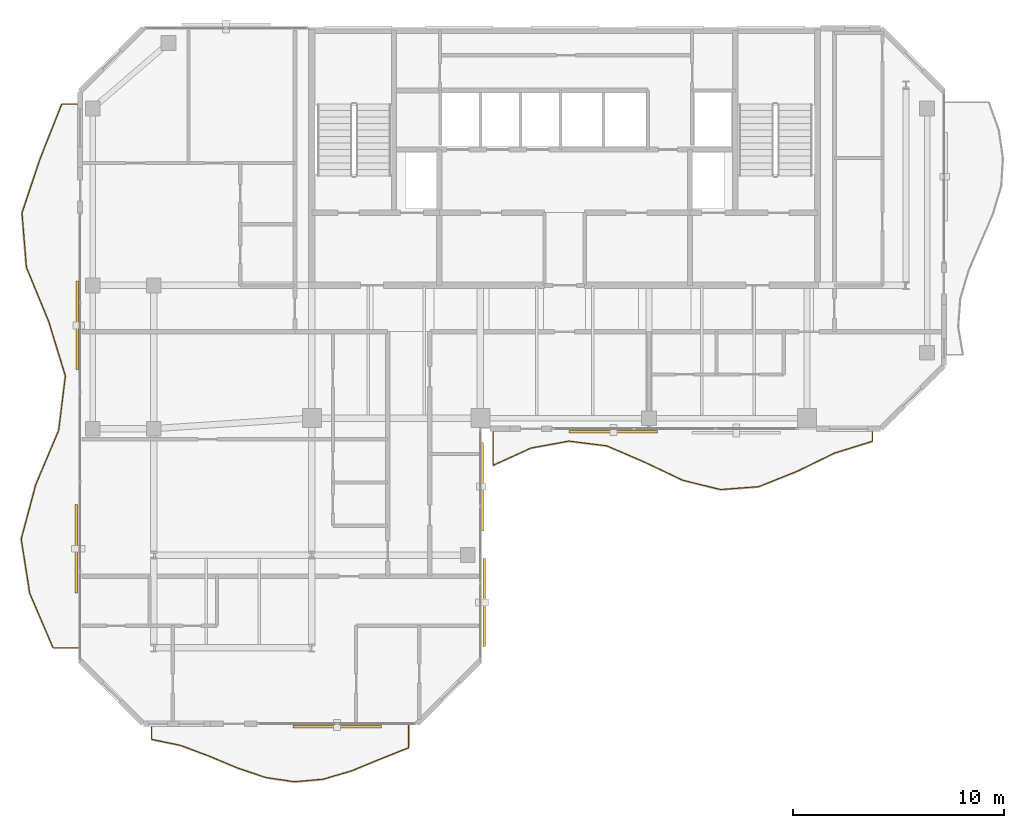
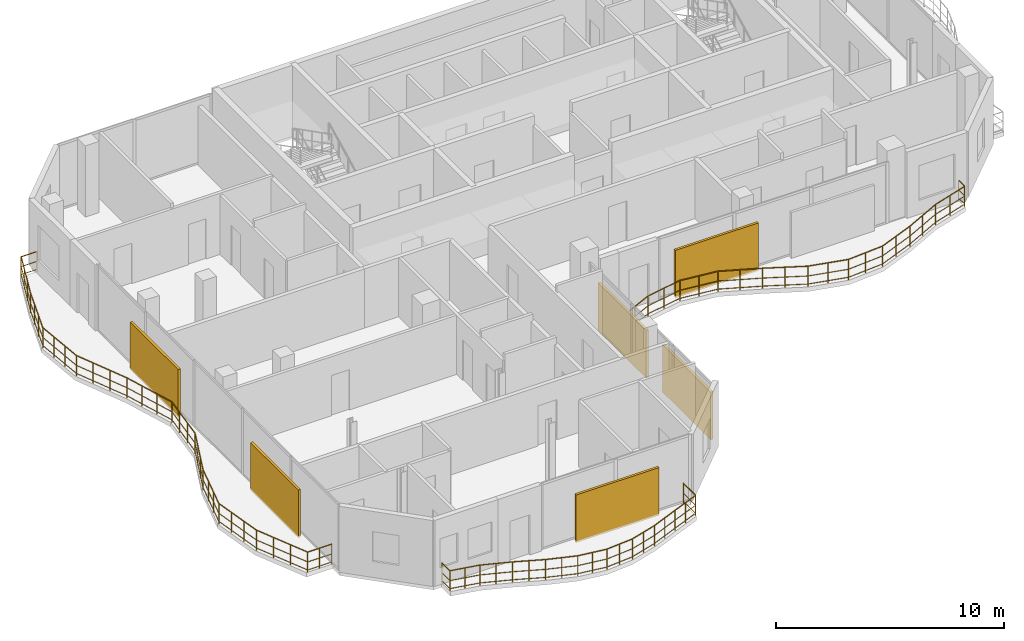
# One storey, part 21 of 22: 6 shading devices, 3 railings.
"""IFC4 building model written with IfcOpenShell, lengths in metres."""

from ifc_helpers import new_model, si_unit, direction, frame, origin, origin_2d, place, context, subcontext, project, spatial, rectangle, circle, extrude, material, type_object, element, save


model = new_model("IFC4")

# Units and contexts
model_context = context("Model", 3, precision=1e-05, world=origin(), true_north=direction((0.0, 1.0)))
body_context = subcontext(model_context, "Body", "Model", "MODEL_VIEW")
ifc_project = project(units=[si_unit("LENGTHUNIT", "METRE"), si_unit("AREAUNIT", "SQUARE_METRE"), si_unit("VOLUMEUNIT", "CUBIC_METRE"), si_unit("PLANEANGLEUNIT", "RADIAN"), si_unit("MASSUNIT", "GRAM", prefix="KILO")], contexts=[model_context])

# Site, building, storey
site_placement = place(None, origin())
site = spatial("IfcSite", under=ifc_project, at=site_placement, CompositionType="ELEMENT")
building_placement = place(site_placement, origin())
building = spatial("IfcBuilding", under=site, at=building_placement, Name="Catumbela Crestline Tower", CompositionType="ELEMENT")
storey_placement = place(building_placement, frame((0.0, 0.0, 256.4)))
storey = spatial("IfcBuildingStorey", under=building, at=storey_placement, Name="L66", CompositionType="ELEMENT", Elevation=256.4)

# Railings
ifc_material_1 = material(Name="Stainless steel EN 1.4401", Category="steel")
railing_type = type_object("IfcRailingType", Name="RB-1100", PredefinedType="BALUSTRADE", material=ifc_material_1)
railing_1_placement = place(storey_placement, frame((24.6, 23.94, 0.0)))
element("IfcRailing", 1, at=railing_1_placement, inside=storey, type_object=railing_type, Name="L66 Private Wave Balcony Balustrade 1", PredefinedType="BALUSTRADE", context=body_context, shape_type="SweptSolid", body=[
    extrude(circle(Radius=0.024, at=origin_2d()), frame((0.0, 0.0, 1.076), z_axis=(0.0, -1.0, 0.0), x_axis=(1.0, 0.0, 0.0)), (0.0, 0.0, 1.0), 1.68),
    extrude(circle(Radius=0.0156, at=origin_2d()), frame((0.0, 0.0, 0.55), z_axis=(0.0, -1.0, 0.0), x_axis=(1.0, 0.0, 0.0)), (0.0, 0.0, 1.0), 1.68),
    extrude(circle(Radius=0.0156, at=origin_2d()), frame((0.0, 0.0, 0.12), z_axis=(0.0, -1.0, 0.0), x_axis=(1.0, 0.0, 0.0)), (0.0, 0.0, 1.0), 1.68),
    extrude(circle(Radius=0.024, at=origin_2d()), frame((0.0, -1.68, 1.076), z_axis=(0.909733657009, 0.415192332907, 0.0), x_axis=(-0.415192332907, 0.909733657009, 0.0)), (0.0, 0.0, 1.0), 1.9786),
    extrude(circle(Radius=0.0156, at=origin_2d()), frame((0.0, -1.68, 0.55), z_axis=(0.909733657009, 0.415192332907, 0.0), x_axis=(-0.415192332907, 0.909733657009, 0.0)), (0.0, 0.0, 1.0), 1.9786),
    extrude(circle(Radius=0.0156, at=origin_2d()), frame((0.0, -1.68, 0.12), z_axis=(0.909733657009, 0.415192332907, 0.0), x_axis=(-0.415192332907, 0.909733657009, 0.0)), (0.0, 0.0, 1.0), 1.9786),
    extrude(circle(Radius=0.024, at=origin_2d()), frame((1.8, -0.8585, 1.076), z_axis=(0.983751645667, 0.179534675334, 0.0), x_axis=(-0.179534675334, 0.983751645667, 0.0)), (0.0, 0.0, 1.0), 1.8297),
    extrude(circle(Radius=0.0156, at=origin_2d()), frame((1.8, -0.8585, 0.55), z_axis=(0.983751645667, 0.179534675334, 0.0), x_axis=(-0.179534675334, 0.983751645667, 0.0)), (0.0, 0.0, 1.0), 1.8297),
    extrude(circle(Radius=0.0156, at=origin_2d()), frame((1.8, -0.8585, 0.12), z_axis=(0.983751645667, 0.179534675334, 0.0), x_axis=(-0.179534675334, 0.983751645667, 0.0)), (0.0, 0.0, 1.0), 1.8297),
    extrude(circle(Radius=0.024, at=origin_2d()), frame((3.6, -0.53, 1.076), z_axis=(0.992250714481, -0.124251839469, 0.0), x_axis=(0.124251839469, 0.992250714481, 0.0)), (0.0, 0.0, 1.0), 1.8141),
    extrude(circle(Radius=0.0156, at=origin_2d()), frame((3.6, -0.53, 0.55), z_axis=(0.992250714481, -0.124251839469, 0.0), x_axis=(0.124251839469, 0.992250714481, 0.0)), (0.0, 0.0, 1.0), 1.8141),
    extrude(circle(Radius=0.0156, at=origin_2d()), frame((3.6, -0.53, 0.12), z_axis=(0.992250714481, -0.124251839469, 0.0), x_axis=(0.124251839469, 0.992250714481, 0.0)), (0.0, 0.0, 1.0), 1.8141),
    extrude(circle(Radius=0.024, at=origin_2d()), frame((5.4, -0.7554, 1.076), z_axis=(0.91863214227, -0.395113891414, 0.0), x_axis=(0.395113891414, 0.91863214227, 0.0)), (0.0, 0.0, 1.0), 1.9594),
    extrude(circle(Radius=0.0156, at=origin_2d()), frame((5.4, -0.7554, 0.55), z_axis=(0.91863214227, -0.395113891414, 0.0), x_axis=(0.395113891414, 0.91863214227, 0.0)), (0.0, 0.0, 1.0), 1.9594),
    extrude(circle(Radius=0.0156, at=origin_2d()), frame((5.4, -0.7554, 0.12), z_axis=(0.91863214227, -0.395113891414, 0.0), x_axis=(0.395113891414, 0.91863214227, 0.0)), (0.0, 0.0, 1.0), 1.9594),
    extrude(circle(Radius=0.024, at=origin_2d()), frame((7.2, -1.5296, 1.076), z_axis=(0.903141340366, -0.429343358306, 0.0), x_axis=(0.429343358306, 0.903141340366, 0.0)), (0.0, 0.0, 1.0), 1.993),
    extrude(circle(Radius=0.0156, at=origin_2d()), frame((7.2, -1.5296, 0.55), z_axis=(0.903141340366, -0.429343358306, 0.0), x_axis=(0.429343358306, 0.903141340366, 0.0)), (0.0, 0.0, 1.0), 1.993),
    extrude(circle(Radius=0.0156, at=origin_2d()), frame((7.2, -1.5296, 0.12), z_axis=(0.903141340366, -0.429343358306, 0.0), x_axis=(0.429343358306, 0.903141340366, 0.0)), (0.0, 0.0, 1.0), 1.993),
    extrude(circle(Radius=0.024, at=origin_2d()), frame((9.0, -2.3853, 1.076), z_axis=(0.97081135802, -0.239844339395, 0.0), x_axis=(0.239844339395, 0.97081135802, 0.0)), (0.0, 0.0, 1.0), 1.8541),
    extrude(circle(Radius=0.0156, at=origin_2d()), frame((9.0, -2.3853, 0.55), z_axis=(0.97081135802, -0.239844339395, 0.0), x_axis=(0.239844339395, 0.97081135802, 0.0)), (0.0, 0.0, 1.0), 1.8541),
    extrude(circle(Radius=0.0156, at=origin_2d()), frame((9.0, -2.3853, 0.12), z_axis=(0.97081135802, -0.239844339395, 0.0), x_axis=(0.239844339395, 0.97081135802, 0.0)), (0.0, 0.0, 1.0), 1.8541),
    extrude(circle(Radius=0.024, at=origin_2d()), frame((10.8, -2.83, 1.076), z_axis=(0.9971244509, 0.075781458268, 0.0), x_axis=(-0.075781458268, 0.9971244509, 0.0)), (0.0, 0.0, 1.0), 1.8052),
    extrude(circle(Radius=0.0156, at=origin_2d()), frame((10.8, -2.83, 0.55), z_axis=(0.9971244509, 0.075781458268, 0.0), x_axis=(-0.075781458268, 0.9971244509, 0.0)), (0.0, 0.0, 1.0), 1.8052),
    extrude(circle(Radius=0.0156, at=origin_2d()), frame((10.8, -2.83, 0.12), z_axis=(0.9971244509, 0.075781458268, 0.0), x_axis=(-0.075781458268, 0.9971244509, 0.0)), (0.0, 0.0, 1.0), 1.8052),
    extrude(circle(Radius=0.024, at=origin_2d()), frame((12.6, -2.6932, 1.076), z_axis=(0.929399644581, 0.369074925526, 0.0), x_axis=(-0.369074925526, 0.929399644581, 0.0)), (0.0, 0.0, 1.0), 1.9367),
    extrude(circle(Radius=0.0156, at=origin_2d()), frame((12.6, -2.6932, 0.55), z_axis=(0.929399644581, 0.369074925526, 0.0), x_axis=(-0.369074925526, 0.929399644581, 0.0)), (0.0, 0.0, 1.0), 1.9367),
    extrude(circle(Radius=0.0156, at=origin_2d()), frame((12.6, -2.6932, 0.12), z_axis=(0.929399644581, 0.369074925526, 0.0), x_axis=(-0.369074925526, 0.929399644581, 0.0)), (0.0, 0.0, 1.0), 1.9367),
    extrude(circle(Radius=0.024, at=origin_2d()), frame((14.4, -1.9784, 1.076), z_axis=(0.899073055886, 0.437798629714, 0.0), x_axis=(-0.437798629714, 0.899073055886, 0.0)), (0.0, 0.0, 1.0), 2.0021),
    extrude(circle(Radius=0.0156, at=origin_2d()), frame((14.4, -1.9784, 0.55), z_axis=(0.899073055886, 0.437798629714, 0.0), x_axis=(-0.437798629714, 0.899073055886, 0.0)), (0.0, 0.0, 1.0), 2.0021),
    extrude(circle(Radius=0.0156, at=origin_2d()), frame((14.4, -1.9784, 0.12), z_axis=(0.899073055886, 0.437798629714, 0.0), x_axis=(-0.437798629714, 0.899073055886, 0.0)), (0.0, 0.0, 1.0), 2.0021),
    extrude(circle(Radius=0.024, at=origin_2d()), frame((16.2, -1.1019, 1.076), z_axis=(0.954374253933, 0.298613099897, 0.0), x_axis=(-0.298613099897, 0.954374253933, 0.0)), (0.0, 0.0, 1.0), 1.8861),
    extrude(circle(Radius=0.0156, at=origin_2d()), frame((16.2, -1.1019, 0.55), z_axis=(0.954374253933, 0.298613099897, 0.0), x_axis=(-0.298613099897, 0.954374253933, 0.0)), (0.0, 0.0, 1.0), 1.8861),
    extrude(circle(Radius=0.0156, at=origin_2d()), frame((16.2, -1.1019, 0.12), z_axis=(0.954374253933, 0.298613099897, 0.0), x_axis=(-0.298613099897, 0.954374253933, 0.0)), (0.0, 0.0, 1.0), 1.8861),
    extrude(circle(Radius=0.024, at=origin_2d()), frame((18.0, -0.5387, 1.076), z_axis=(0.0, 1.0, 0.0), x_axis=(-1.0, 0.0, 0.0)), (0.0, 0.0, 1.0), 0.5387),
    extrude(circle(Radius=0.0156, at=origin_2d()), frame((18.0, -0.5387, 0.55), z_axis=(0.0, 1.0, 0.0), x_axis=(-1.0, 0.0, 0.0)), (0.0, 0.0, 1.0), 0.5387),
    extrude(circle(Radius=0.0156, at=origin_2d()), frame((18.0, -0.5387, 0.12), z_axis=(0.0, 1.0, 0.0), x_axis=(-1.0, 0.0, 0.0)), (0.0, 0.0, 1.0), 0.5387),
    extrude(circle(Radius=0.021, at=origin_2d()), origin(), (0.0, 0.0, 1.0), 1.052),
    extrude(circle(Radius=0.021, at=origin_2d()), frame((0.0, -0.84, 0.0)), (0.0, 0.0, 1.0), 1.052),
    extrude(circle(Radius=0.021, at=origin_2d()), frame((0.0, -1.68, 0.0)), (0.0, 0.0, 1.0), 1.052),
    extrude(circle(Radius=0.021, at=origin_2d()), frame((0.9, -1.2693, 0.0)), (0.0, 0.0, 1.0), 1.052),
    extrude(circle(Radius=0.021, at=origin_2d()), frame((1.8, -0.8585, 0.0)), (0.0, 0.0, 1.0), 1.052),
    extrude(circle(Radius=0.021, at=origin_2d()), frame((2.7, -0.6943, 0.0)), (0.0, 0.0, 1.0), 1.052),
    extrude(circle(Radius=0.021, at=origin_2d()), frame((3.6, -0.53, 0.0)), (0.0, 0.0, 1.0), 1.052),
    extrude(circle(Radius=0.021, at=origin_2d()), frame((4.5, -0.6427, 0.0)), (0.0, 0.0, 1.0), 1.052),
    extrude(circle(Radius=0.021, at=origin_2d()), frame((5.4, -0.7554, 0.0)), (0.0, 0.0, 1.0), 1.052),
    extrude(circle(Radius=0.021, at=origin_2d()), frame((6.3, -1.1425, 0.0)), (0.0, 0.0, 1.0), 1.052),
    extrude(circle(Radius=0.021, at=origin_2d()), frame((7.2, -1.5296, 0.0)), (0.0, 0.0, 1.0), 1.052),
    extrude(circle(Radius=0.021, at=origin_2d()), frame((8.1, -1.9575, 0.0)), (0.0, 0.0, 1.0), 1.052),
    extrude(circle(Radius=0.021, at=origin_2d()), frame((9.0, -2.3853, 0.0)), (0.0, 0.0, 1.0), 1.052),
    extrude(circle(Radius=0.021, at=origin_2d()), frame((9.9, -2.6077, 0.0)), (0.0, 0.0, 1.0), 1.052),
    extrude(circle(Radius=0.021, at=origin_2d()), frame((10.8, -2.83, 0.0)), (0.0, 0.0, 1.0), 1.052),
    extrude(circle(Radius=0.021, at=origin_2d()), frame((11.7, -2.7616, 0.0)), (0.0, 0.0, 1.0), 1.052),
    extrude(circle(Radius=0.021, at=origin_2d()), frame((12.6, -2.6932, 0.0)), (0.0, 0.0, 1.0), 1.052),
    extrude(circle(Radius=0.021, at=origin_2d()), frame((13.5, -2.3358, 0.0)), (0.0, 0.0, 1.0), 1.052),
    extrude(circle(Radius=0.021, at=origin_2d()), frame((14.4, -1.9784, 0.0)), (0.0, 0.0, 1.0), 1.052),
    extrude(circle(Radius=0.021, at=origin_2d()), frame((15.3, -1.5402, 0.0)), (0.0, 0.0, 1.0), 1.052),
    extrude(circle(Radius=0.021, at=origin_2d()), frame((16.2, -1.1019, 0.0)), (0.0, 0.0, 1.0), 1.052),
    extrude(circle(Radius=0.021, at=origin_2d()), frame((17.1, -0.8203, 0.0)), (0.0, 0.0, 1.0), 1.052),
    extrude(circle(Radius=0.021, at=origin_2d()), frame((18.0, -0.5387, 0.0)), (0.0, 0.0, 1.0), 1.052),
    extrude(circle(Radius=0.021, at=origin_2d()), frame((18.0, 0.0, 0.0)), (0.0, 0.0, 1.0), 1.052),
])
railing_2_placement = place(storey_placement, frame((8.4, 9.94, 0.0)))
element("IfcRailing", 2, at=railing_2_placement, inside=storey, type_object=railing_type, Name="L66 Private Wave Balcony Balustrade 3", PredefinedType="BALUSTRADE", context=body_context, shape_type="SweptSolid", body=[
    extrude(circle(Radius=0.024, at=origin_2d()), frame((0.0, 0.0, 1.076), z_axis=(0.0, -1.0, 0.0), x_axis=(1.0, 0.0, 0.0)), (0.0, 0.0, 1.0), 0.6867),
    extrude(circle(Radius=0.0156, at=origin_2d()), frame((0.0, 0.0, 0.55), z_axis=(0.0, -1.0, 0.0), x_axis=(1.0, 0.0, 0.0)), (0.0, 0.0, 1.0), 0.6867),
    extrude(circle(Radius=0.0156, at=origin_2d()), frame((0.0, 0.0, 0.12), z_axis=(0.0, -1.0, 0.0), x_axis=(1.0, 0.0, 0.0)), (0.0, 0.0, 1.0), 0.6867),
    extrude(circle(Radius=0.024, at=origin_2d()), frame((0.0, -0.6867, 1.076), z_axis=(0.979255971332, -0.20262710236, 0.0), x_axis=(0.20262710236, 0.979255971332, 0.0)), (0.0, 0.0, 1.0), 1.3843),
    extrude(circle(Radius=0.0156, at=origin_2d()), frame((0.0, -0.6867, 0.55), z_axis=(0.979255971332, -0.20262710236, 0.0), x_axis=(0.20262710236, 0.979255971332, 0.0)), (0.0, 0.0, 1.0), 1.3843),
    extrude(circle(Radius=0.0156, at=origin_2d()), frame((0.0, -0.6867, 0.12), z_axis=(0.979255971332, -0.20262710236, 0.0), x_axis=(0.20262710236, 0.979255971332, 0.0)), (0.0, 0.0, 1.0), 1.3843),
    extrude(circle(Radius=0.024, at=origin_2d()), frame((1.3556, -0.9672, 1.076), z_axis=(0.93726073725, -0.348629187548, 0.0), x_axis=(0.348629187548, 0.93726073725, 0.0)), (0.0, 0.0, 1.0), 1.4462),
    extrude(circle(Radius=0.0156, at=origin_2d()), frame((1.3556, -0.9672, 0.55), z_axis=(0.93726073725, -0.348629187548, 0.0), x_axis=(0.348629187548, 0.93726073725, 0.0)), (0.0, 0.0, 1.0), 1.4462),
    extrude(circle(Radius=0.0156, at=origin_2d()), frame((1.3556, -0.9672, 0.12), z_axis=(0.93726073725, -0.348629187548, 0.0), x_axis=(0.348629187548, 0.93726073725, 0.0)), (0.0, 0.0, 1.0), 1.4462),
    extrude(circle(Radius=0.024, at=origin_2d()), frame((2.7111, -1.4714, 1.076), z_axis=(0.921897589899, -0.387433650756, 0.0), x_axis=(0.387433650756, 0.921897589899, 0.0)), (0.0, 0.0, 1.0), 1.4704),
    extrude(circle(Radius=0.0156, at=origin_2d()), frame((2.7111, -1.4714, 0.55), z_axis=(0.921897589899, -0.387433650756, 0.0), x_axis=(0.387433650756, 0.921897589899, 0.0)), (0.0, 0.0, 1.0), 1.4704),
    extrude(circle(Radius=0.0156, at=origin_2d()), frame((2.7111, -1.4714, 0.12), z_axis=(0.921897589899, -0.387433650756, 0.0), x_axis=(0.387433650756, 0.921897589899, 0.0)), (0.0, 0.0, 1.0), 1.4704),
    extrude(circle(Radius=0.024, at=origin_2d()), frame((4.0667, -2.0411, 1.076), z_axis=(0.947742229417, -0.319037092795, 0.0), x_axis=(0.319037092795, 0.947742229417, 0.0)), (0.0, 0.0, 1.0), 1.4302),
    extrude(circle(Radius=0.0156, at=origin_2d()), frame((4.0667, -2.0411, 0.55), z_axis=(0.947742229417, -0.319037092795, 0.0), x_axis=(0.319037092795, 0.947742229417, 0.0)), (0.0, 0.0, 1.0), 1.4302),
    extrude(circle(Radius=0.0156, at=origin_2d()), frame((4.0667, -2.0411, 0.12), z_axis=(0.947742229417, -0.319037092795, 0.0), x_axis=(0.319037092795, 0.947742229417, 0.0)), (0.0, 0.0, 1.0), 1.4302),
    extrude(circle(Radius=0.024, at=origin_2d()), frame((5.4222, -2.4974, 1.076), z_axis=(0.989301589642, -0.145884765247, 0.0), x_axis=(0.145884765247, 0.989301589642, 0.0)), (0.0, 0.0, 1.0), 1.3703),
    extrude(circle(Radius=0.0156, at=origin_2d()), frame((5.4222, -2.4974, 0.55), z_axis=(0.989301589642, -0.145884765247, 0.0), x_axis=(0.145884765247, 0.989301589642, 0.0)), (0.0, 0.0, 1.0), 1.3703),
    extrude(circle(Radius=0.0156, at=origin_2d()), frame((5.4222, -2.4974, 0.12), z_axis=(0.989301589642, -0.145884765247, 0.0), x_axis=(0.145884765247, 0.989301589642, 0.0)), (0.0, 0.0, 1.0), 1.3703),
    extrude(circle(Radius=0.024, at=origin_2d()), frame((6.7778, -2.6973, 1.076), z_axis=(0.996136470623, 0.087818744551, 0.0), x_axis=(-0.087818744551, 0.996136470623, 0.0)), (0.0, 0.0, 1.0), 1.3608),
    extrude(circle(Radius=0.0156, at=origin_2d()), frame((6.7778, -2.6973, 0.55), z_axis=(0.996136470623, 0.087818744551, 0.0), x_axis=(-0.087818744551, 0.996136470623, 0.0)), (0.0, 0.0, 1.0), 1.3608),
    extrude(circle(Radius=0.0156, at=origin_2d()), frame((6.7778, -2.6973, 0.12), z_axis=(0.996136470623, 0.087818744551, 0.0), x_axis=(-0.087818744551, 0.996136470623, 0.0)), (0.0, 0.0, 1.0), 1.3608),
    extrude(circle(Radius=0.024, at=origin_2d()), frame((8.1333, -2.5778, 1.076), z_axis=(0.958886552116, 0.283789675943, 0.0), x_axis=(-0.283789675943, 0.958886552116, 0.0)), (0.0, 0.0, 1.0), 1.4137),
    extrude(circle(Radius=0.0156, at=origin_2d()), frame((8.1333, -2.5778, 0.55), z_axis=(0.958886552116, 0.283789675943, 0.0), x_axis=(-0.283789675943, 0.958886552116, 0.0)), (0.0, 0.0, 1.0), 1.4137),
    extrude(circle(Radius=0.0156, at=origin_2d()), frame((8.1333, -2.5778, 0.12), z_axis=(0.958886552116, 0.283789675943, 0.0), x_axis=(-0.283789675943, 0.958886552116, 0.0)), (0.0, 0.0, 1.0), 1.4137),
    extrude(circle(Radius=0.024, at=origin_2d()), frame((9.4889, -2.1766, 1.076), z_axis=(0.924929438633, 0.380138834572, 0.0), x_axis=(-0.380138834572, 0.924929438633, 0.0)), (0.0, 0.0, 1.0), 1.4655),
    extrude(circle(Radius=0.0156, at=origin_2d()), frame((9.4889, -2.1766, 0.55), z_axis=(0.924929438633, 0.380138834572, 0.0), x_axis=(-0.380138834572, 0.924929438633, 0.0)), (0.0, 0.0, 1.0), 1.4655),
    extrude(circle(Radius=0.0156, at=origin_2d()), frame((9.4889, -2.1766, 0.12), z_axis=(0.924929438633, 0.380138834572, 0.0), x_axis=(-0.380138834572, 0.924929438633, 0.0)), (0.0, 0.0, 1.0), 1.4655),
    extrude(circle(Radius=0.024, at=origin_2d()), frame((10.8444, -1.6195, 1.076), z_axis=(0.929452275116, 0.368942364444, 0.0), x_axis=(-0.368942364444, 0.929452275116, 0.0)), (0.0, 0.0, 1.0), 1.4585),
    extrude(circle(Radius=0.0156, at=origin_2d()), frame((10.8444, -1.6195, 0.55), z_axis=(0.929452275116, 0.368942364444, 0.0), x_axis=(-0.368942364444, 0.929452275116, 0.0)), (0.0, 0.0, 1.0), 1.4585),
    extrude(circle(Radius=0.0156, at=origin_2d()), frame((10.8444, -1.6195, 0.12), z_axis=(0.929452275116, 0.368942364444, 0.0), x_axis=(-0.368942364444, 0.929452275116, 0.0)), (0.0, 0.0, 1.0), 1.4585),
    extrude(circle(Radius=0.024, at=origin_2d()), frame((12.2, -1.0814, 1.076), z_axis=(0.0, 1.0, 0.0), x_axis=(-1.0, 0.0, 0.0)), (0.0, 0.0, 1.0), 1.0814),
    extrude(circle(Radius=0.0156, at=origin_2d()), frame((12.2, -1.0814, 0.55), z_axis=(0.0, 1.0, 0.0), x_axis=(-1.0, 0.0, 0.0)), (0.0, 0.0, 1.0), 1.0814),
    extrude(circle(Radius=0.0156, at=origin_2d()), frame((12.2, -1.0814, 0.12), z_axis=(0.0, 1.0, 0.0), x_axis=(-1.0, 0.0, 0.0)), (0.0, 0.0, 1.0), 1.0814),
    extrude(circle(Radius=0.021, at=origin_2d()), origin(), (0.0, 0.0, 1.0), 1.052),
    extrude(circle(Radius=0.021, at=origin_2d()), frame((0.0, -0.6867, 0.0)), (0.0, 0.0, 1.0), 1.052),
    extrude(circle(Radius=0.021, at=origin_2d()), frame((0.6778, -0.827, 0.0)), (0.0, 0.0, 1.0), 1.052),
    extrude(circle(Radius=0.021, at=origin_2d()), frame((1.3556, -0.9672, 0.0)), (0.0, 0.0, 1.0), 1.052),
    extrude(circle(Radius=0.021, at=origin_2d()), frame((2.0333, -1.2193, 0.0)), (0.0, 0.0, 1.0), 1.052),
    extrude(circle(Radius=0.021, at=origin_2d()), frame((2.7111, -1.4714, 0.0)), (0.0, 0.0, 1.0), 1.052),
    extrude(circle(Radius=0.021, at=origin_2d()), frame((3.3889, -1.7562, 0.0)), (0.0, 0.0, 1.0), 1.052),
    extrude(circle(Radius=0.021, at=origin_2d()), frame((4.0667, -2.0411, 0.0)), (0.0, 0.0, 1.0), 1.052),
    extrude(circle(Radius=0.021, at=origin_2d()), frame((4.7444, -2.2692, 0.0)), (0.0, 0.0, 1.0), 1.052),
    extrude(circle(Radius=0.021, at=origin_2d()), frame((5.4222, -2.4974, 0.0)), (0.0, 0.0, 1.0), 1.052),
    extrude(circle(Radius=0.021, at=origin_2d()), frame((6.1, -2.5973, 0.0)), (0.0, 0.0, 1.0), 1.052),
    extrude(circle(Radius=0.021, at=origin_2d()), frame((6.7778, -2.6973, 0.0)), (0.0, 0.0, 1.0), 1.052),
    extrude(circle(Radius=0.021, at=origin_2d()), frame((7.4556, -2.6375, 0.0)), (0.0, 0.0, 1.0), 1.052),
    extrude(circle(Radius=0.021, at=origin_2d()), frame((8.1333, -2.5778, 0.0)), (0.0, 0.0, 1.0), 1.052),
    extrude(circle(Radius=0.021, at=origin_2d()), frame((8.8111, -2.3772, 0.0)), (0.0, 0.0, 1.0), 1.052),
    extrude(circle(Radius=0.021, at=origin_2d()), frame((9.4889, -2.1766, 0.0)), (0.0, 0.0, 1.0), 1.052),
    extrude(circle(Radius=0.021, at=origin_2d()), frame((10.1666, -1.898, 0.0)), (0.0, 0.0, 1.0), 1.052),
    extrude(circle(Radius=0.021, at=origin_2d()), frame((10.8444, -1.6195, 0.0)), (0.0, 0.0, 1.0), 1.052),
    extrude(circle(Radius=0.021, at=origin_2d()), frame((11.5222, -1.3505, 0.0)), (0.0, 0.0, 1.0), 1.052),
    extrude(circle(Radius=0.021, at=origin_2d()), frame((12.2, -1.0814, 0.0)), (0.0, 0.0, 1.0), 1.052),
    extrude(circle(Radius=0.021, at=origin_2d()), frame((12.2, 0.0, 0.0)), (0.0, 0.0, 1.0), 1.052),
])
railing_3_placement = place(storey_placement, frame((4.94, 39.4, 0.0)))
element("IfcRailing", 3, at=railing_3_placement, inside=storey, type_object=railing_type, Name="L66 Private Wave Balcony Balustrade 4", PredefinedType="BALUSTRADE", context=body_context, shape_type="SweptSolid", body=[
    extrude(circle(Radius=0.024, at=origin_2d()), frame((0.0, 0.0, 1.076), z_axis=(-1.0, 0.0, 0.0), x_axis=(0.0, -1.0, 0.0)), (0.0, 0.0, 1.0), 0.8074),
    extrude(circle(Radius=0.0156, at=origin_2d()), frame((0.0, 0.0, 0.55), z_axis=(-1.0, 0.0, 0.0), x_axis=(0.0, -1.0, 0.0)), (0.0, 0.0, 1.0), 0.8074),
    extrude(circle(Radius=0.0156, at=origin_2d()), frame((0.0, 0.0, 0.12), z_axis=(-1.0, 0.0, 0.0), x_axis=(0.0, -1.0, 0.0)), (0.0, 0.0, 1.0), 0.8074),
    extrude(circle(Radius=0.024, at=origin_2d()), frame((-0.8074, 0.0, 1.076), z_axis=(-0.368686912688, -0.929553635038, 0.0), x_axis=(0.929553635038, -0.368686912688, 0.0)), (0.0, 0.0, 1.0), 2.7755),
    extrude(circle(Radius=0.0156, at=origin_2d()), frame((-0.8074, 0.0, 0.55), z_axis=(-0.368686912688, -0.929553635038, 0.0), x_axis=(0.929553635038, -0.368686912688, 0.0)), (0.0, 0.0, 1.0), 2.7755),
    extrude(circle(Radius=0.0156, at=origin_2d()), frame((-0.8074, 0.0, 0.12), z_axis=(-0.368686912688, -0.929553635038, 0.0), x_axis=(0.929553635038, -0.368686912688, 0.0)), (0.0, 0.0, 1.0), 2.7755),
    extrude(circle(Radius=0.024, at=origin_2d()), frame((-1.8307, -2.58, 1.076), z_axis=(-0.317484488838, -0.948263465155, 0.0), x_axis=(0.948263465155, -0.317484488838, 0.0)), (0.0, 0.0, 1.0), 2.7208),
    extrude(circle(Radius=0.0156, at=origin_2d()), frame((-1.8307, -2.58, 0.55), z_axis=(-0.317484488838, -0.948263465155, 0.0), x_axis=(0.948263465155, -0.317484488838, 0.0)), (0.0, 0.0, 1.0), 2.7208),
    extrude(circle(Radius=0.0156, at=origin_2d()), frame((-1.8307, -2.58, 0.12), z_axis=(-0.317484488838, -0.948263465155, 0.0), x_axis=(0.948263465155, -0.317484488838, 0.0)), (0.0, 0.0, 1.0), 2.7208),
    extrude(circle(Radius=0.024, at=origin_2d()), frame((-2.6945, -5.16, 1.076), z_axis=(0.081203805519, -0.99669751779, 0.0), x_axis=(0.99669751779, 0.081203805519, 0.0)), (0.0, 0.0, 1.0), 2.5885),
    extrude(circle(Radius=0.0156, at=origin_2d()), frame((-2.6945, -5.16, 0.55), z_axis=(0.081203805519, -0.99669751779, 0.0), x_axis=(0.99669751779, 0.081203805519, 0.0)), (0.0, 0.0, 1.0), 2.5885),
    extrude(circle(Radius=0.0156, at=origin_2d()), frame((-2.6945, -5.16, 0.12), z_axis=(0.081203805519, -0.99669751779, 0.0), x_axis=(0.99669751779, 0.081203805519, 0.0)), (0.0, 0.0, 1.0), 2.5885),
    extrude(circle(Radius=0.024, at=origin_2d()), frame((-2.4843, -7.74, 1.076), z_axis=(0.380519034919, -0.924773087878, 0.0), x_axis=(0.924773087878, 0.380519034919, 0.0)), (0.0, 0.0, 1.0), 2.7899),
    extrude(circle(Radius=0.0156, at=origin_2d()), frame((-2.4843, -7.74, 0.55), z_axis=(0.380519034919, -0.924773087878, 0.0), x_axis=(0.924773087878, 0.380519034919, 0.0)), (0.0, 0.0, 1.0), 2.7899),
    extrude(circle(Radius=0.0156, at=origin_2d()), frame((-2.4843, -7.74, 0.12), z_axis=(0.380519034919, -0.924773087878, 0.0), x_axis=(0.924773087878, 0.380519034919, 0.0)), (0.0, 0.0, 1.0), 2.7899),
    extrude(circle(Radius=0.024, at=origin_2d()), frame((-1.4227, -10.32, 1.076), z_axis=(0.292512316759, -0.956261755245, 0.0), x_axis=(0.956261755245, 0.292512316759, 0.0)), (0.0, 0.0, 1.0), 2.698),
    extrude(circle(Radius=0.0156, at=origin_2d()), frame((-1.4227, -10.32, 0.55), z_axis=(0.292512316759, -0.956261755245, 0.0), x_axis=(0.956261755245, 0.292512316759, 0.0)), (0.0, 0.0, 1.0), 2.698),
    extrude(circle(Radius=0.0156, at=origin_2d()), frame((-1.4227, -10.32, 0.12), z_axis=(0.292512316759, -0.956261755245, 0.0), x_axis=(0.956261755245, 0.292512316759, 0.0)), (0.0, 0.0, 1.0), 2.698),
    extrude(circle(Radius=0.024, at=origin_2d()), frame((-0.6335, -12.9, 1.076), z_axis=(-0.122557445271, -0.992461421219, 0.0), x_axis=(0.992461421219, -0.122557445271, 0.0)), (0.0, 0.0, 1.0), 2.5996),
    extrude(circle(Radius=0.0156, at=origin_2d()), frame((-0.6335, -12.9, 0.55), z_axis=(-0.122557445271, -0.992461421219, 0.0), x_axis=(0.992461421219, -0.122557445271, 0.0)), (0.0, 0.0, 1.0), 2.5996),
    extrude(circle(Radius=0.0156, at=origin_2d()), frame((-0.6335, -12.9, 0.12), z_axis=(-0.122557445271, -0.992461421219, 0.0), x_axis=(0.992461421219, -0.122557445271, 0.0)), (0.0, 0.0, 1.0), 2.5996),
    extrude(circle(Radius=0.024, at=origin_2d()), frame((-0.9521, -15.48, 1.076), z_axis=(-0.38890132228, -0.921279415557, 0.0), x_axis=(0.921279415557, -0.38890132228, 0.0)), (0.0, 0.0, 1.0), 2.8005),
    extrude(circle(Radius=0.0156, at=origin_2d()), frame((-0.9521, -15.48, 0.55), z_axis=(-0.38890132228, -0.921279415557, 0.0), x_axis=(0.921279415557, -0.38890132228, 0.0)), (0.0, 0.0, 1.0), 2.8005),
    extrude(circle(Radius=0.0156, at=origin_2d()), frame((-0.9521, -15.48, 0.12), z_axis=(-0.38890132228, -0.921279415557, 0.0), x_axis=(0.921279415557, -0.38890132228, 0.0)), (0.0, 0.0, 1.0), 2.8005),
    extrude(circle(Radius=0.024, at=origin_2d()), frame((-2.0412, -18.06, 1.076), z_axis=(-0.257942334925, -0.966160313744, 0.0), x_axis=(0.966160313744, -0.257942334925, 0.0)), (0.0, 0.0, 1.0), 2.6704),
    extrude(circle(Radius=0.0156, at=origin_2d()), frame((-2.0412, -18.06, 0.55), z_axis=(-0.257942334925, -0.966160313744, 0.0), x_axis=(0.966160313744, -0.257942334925, 0.0)), (0.0, 0.0, 1.0), 2.6704),
    extrude(circle(Radius=0.0156, at=origin_2d()), frame((-2.0412, -18.06, 0.12), z_axis=(-0.257942334925, -0.966160313744, 0.0), x_axis=(0.966160313744, -0.257942334925, 0.0)), (0.0, 0.0, 1.0), 2.6704),
    extrude(circle(Radius=0.024, at=origin_2d()), frame((-2.73, -20.64, 1.076), z_axis=(0.15537662138, -0.987855305968, 0.0), x_axis=(0.987855305968, 0.15537662138, 0.0)), (0.0, 0.0, 1.0), 2.6117),
    extrude(circle(Radius=0.0156, at=origin_2d()), frame((-2.73, -20.64, 0.55), z_axis=(0.15537662138, -0.987855305968, 0.0), x_axis=(0.987855305968, 0.15537662138, 0.0)), (0.0, 0.0, 1.0), 2.6117),
    extrude(circle(Radius=0.0156, at=origin_2d()), frame((-2.73, -20.64, 0.12), z_axis=(0.15537662138, -0.987855305968, 0.0), x_axis=(0.987855305968, 0.15537662138, 0.0)), (0.0, 0.0, 1.0), 2.6117),
    extrude(circle(Radius=0.024, at=origin_2d()), frame((-2.3242, -23.22, 1.076), z_axis=(0.39394509609, -0.919133973514, 0.0), x_axis=(0.919133973514, 0.39394509609, 0.0)), (0.0, 0.0, 1.0), 2.807),
    extrude(circle(Radius=0.0156, at=origin_2d()), frame((-2.3242, -23.22, 0.55), z_axis=(0.39394509609, -0.919133973514, 0.0), x_axis=(0.919133973514, 0.39394509609, 0.0)), (0.0, 0.0, 1.0), 2.807),
    extrude(circle(Radius=0.0156, at=origin_2d()), frame((-2.3242, -23.22, 0.12), z_axis=(0.39394509609, -0.919133973514, 0.0), x_axis=(0.919133973514, 0.39394509609, 0.0)), (0.0, 0.0, 1.0), 2.807),
    extrude(circle(Radius=0.024, at=origin_2d()), frame((-1.2184, -25.8, 1.076), z_axis=(1.0, 0.0, 0.0), x_axis=(0.0, 1.0, 0.0)), (0.0, 0.0, 1.0), 1.2184),
    extrude(circle(Radius=0.0156, at=origin_2d()), frame((-1.2184, -25.8, 0.55), z_axis=(1.0, 0.0, 0.0), x_axis=(0.0, 1.0, 0.0)), (0.0, 0.0, 1.0), 1.2184),
    extrude(circle(Radius=0.0156, at=origin_2d()), frame((-1.2184, -25.8, 0.12), z_axis=(1.0, 0.0, 0.0), x_axis=(0.0, 1.0, 0.0)), (0.0, 0.0, 1.0), 1.2184),
    extrude(circle(Radius=0.021, at=origin_2d()), origin(), (0.0, 0.0, 1.0), 1.052),
    extrude(circle(Radius=0.021, at=origin_2d()), frame((-0.8074, 0.0, 0.0)), (0.0, 0.0, 1.0), 1.052),
    extrude(circle(Radius=0.021, at=origin_2d()), frame((-1.1485, -0.86, 0.0)), (0.0, 0.0, 1.0), 1.052),
    extrude(circle(Radius=0.021, at=origin_2d()), frame((-1.4896, -1.72, 0.0)), (0.0, 0.0, 1.0), 1.052),
    extrude(circle(Radius=0.021, at=origin_2d()), frame((-1.8307, -2.58, 0.0)), (0.0, 0.0, 1.0), 1.052),
    extrude(circle(Radius=0.021, at=origin_2d()), frame((-2.1186, -3.44, 0.0)), (0.0, 0.0, 1.0), 1.052),
    extrude(circle(Radius=0.021, at=origin_2d()), frame((-2.4066, -4.3, 0.0)), (0.0, 0.0, 1.0), 1.052),
    extrude(circle(Radius=0.021, at=origin_2d()), frame((-2.6945, -5.16, 0.0)), (0.0, 0.0, 1.0), 1.052),
    extrude(circle(Radius=0.021, at=origin_2d()), frame((-2.6244, -6.02, 0.0)), (0.0, 0.0, 1.0), 1.052),
    extrude(circle(Radius=0.021, at=origin_2d()), frame((-2.5544, -6.88, 0.0)), (0.0, 0.0, 1.0), 1.052),
    extrude(circle(Radius=0.021, at=origin_2d()), frame((-2.4843, -7.74, 0.0)), (0.0, 0.0, 1.0), 1.052),
    extrude(circle(Radius=0.021, at=origin_2d()), frame((-2.1304, -8.6, 0.0)), (0.0, 0.0, 1.0), 1.052),
    extrude(circle(Radius=0.021, at=origin_2d()), frame((-1.7766, -9.46, 0.0)), (0.0, 0.0, 1.0), 1.052),
    extrude(circle(Radius=0.021, at=origin_2d()), frame((-1.4227, -10.32, 0.0)), (0.0, 0.0, 1.0), 1.052),
    extrude(circle(Radius=0.021, at=origin_2d()), frame((-1.1596, -11.18, 0.0)), (0.0, 0.0, 1.0), 1.052),
    extrude(circle(Radius=0.021, at=origin_2d()), frame((-0.8966, -12.04, 0.0)), (0.0, 0.0, 1.0), 1.052),
    extrude(circle(Radius=0.021, at=origin_2d()), frame((-0.6335, -12.9, 0.0)), (0.0, 0.0, 1.0), 1.052),
    extrude(circle(Radius=0.021, at=origin_2d()), frame((-0.7397, -13.76, 0.0)), (0.0, 0.0, 1.0), 1.052),
    extrude(circle(Radius=0.021, at=origin_2d()), frame((-0.8459, -14.62, 0.0)), (0.0, 0.0, 1.0), 1.052),
    extrude(circle(Radius=0.021, at=origin_2d()), frame((-0.9521, -15.48, 0.0)), (0.0, 0.0, 1.0), 1.052),
    extrude(circle(Radius=0.021, at=origin_2d()), frame((-1.3151, -16.34, 0.0)), (0.0, 0.0, 1.0), 1.052),
    extrude(circle(Radius=0.021, at=origin_2d()), frame((-1.6782, -17.2, 0.0)), (0.0, 0.0, 1.0), 1.052),
    extrude(circle(Radius=0.021, at=origin_2d()), frame((-2.0412, -18.06, 0.0)), (0.0, 0.0, 1.0), 1.052),
    extrude(circle(Radius=0.021, at=origin_2d()), frame((-2.2708, -18.92, 0.0)), (0.0, 0.0, 1.0), 1.052),
    extrude(circle(Radius=0.021, at=origin_2d()), frame((-2.5004, -19.78, 0.0)), (0.0, 0.0, 1.0), 1.052),
    extrude(circle(Radius=0.021, at=origin_2d()), frame((-2.73, -20.64, 0.0)), (0.0, 0.0, 1.0), 1.052),
    extrude(circle(Radius=0.021, at=origin_2d()), frame((-2.5947, -21.5, 0.0)), (0.0, 0.0, 1.0), 1.052),
    extrude(circle(Radius=0.021, at=origin_2d()), frame((-2.4595, -22.36, 0.0)), (0.0, 0.0, 1.0), 1.052),
    extrude(circle(Radius=0.021, at=origin_2d()), frame((-2.3242, -23.22, 0.0)), (0.0, 0.0, 1.0), 1.052),
    extrude(circle(Radius=0.021, at=origin_2d()), frame((-1.9556, -24.08, 0.0)), (0.0, 0.0, 1.0), 1.052),
    extrude(circle(Radius=0.021, at=origin_2d()), frame((-1.587, -24.94, 0.0)), (0.0, 0.0, 1.0), 1.052),
    extrude(circle(Radius=0.021, at=origin_2d()), frame((-1.2184, -25.8, 0.0)), (0.0, 0.0, 1.0), 1.052),
    extrude(circle(Radius=0.021, at=origin_2d()), frame((-0.6092, -25.8, 0.0)), (0.0, 0.0, 1.0), 1.052),
    extrude(circle(Radius=0.021, at=origin_2d()), frame((0.0, -25.8, 0.0)), (0.0, 0.0, 1.0), 1.052),
])

# Shading devices
ifc_material_2 = material(Name="Extruded terracotta ceramic", Category="masonry")
shading_device_type_1 = type_object("IfcShadingDeviceType", Name="ST-180", PredefinedType="USERDEFINED", material=ifc_material_2)
shading_device_placement = place(storey_placement, frame((24.099, 21.25, -0.1), z_axis=(0.0, 0.0, 1.0), x_axis=(0.0, 1.0, 0.0)))
element("IfcShadingDevice", 4, at=shading_device_placement, inside=storey, type_object=shading_device_type_1, Name="L66 Perforated Terracotta Solar Screen 803 (180 mm)", ObjectType="SCREEN", PredefinedType="USERDEFINED", context=body_context, shape_type="SweptSolid", body=[
    extrude(rectangle(XDim=4.2, YDim=0.12, at=origin_2d()), origin(), (0.0, 0.0, 1.0), 2.55),
])
shading_device_type_2 = type_object("IfcShadingDeviceType", Name="ST-260", PredefinedType="USERDEFINED", material=ifc_material_2)
for number, where, z_axis, x_axis, name in (
    (5, (17.2, 9.857, -0.1), (0.0, 0.0, 1.0), (1.0, 0.0, 0.0), "L66 Perforated Terracotta Solar Screen 801 (260 mm)"),
    (6, (30.3125, 23.857, -0.1), (0.0, 0.0, 1.0), (1.0, 0.0, 0.0), "L66 Perforated Terracotta Solar Screen 804 (260 mm)"),
    (7, (4.857, 28.9, -0.1), (0.0, 0.0, 1.0), (0.0, -1.0, 0.0), "L66 Perforated Terracotta Solar Screen 808 (260 mm)"),
):
    element("IfcShadingDevice", number, at=place(storey_placement, frame(where, z_axis=z_axis, x_axis=x_axis)), inside=storey, type_object=shading_device_type_2, Name=name, ObjectType="SCREEN", PredefinedType="USERDEFINED", context=body_context, shape_type="SweptSolid", body=[
        extrude(rectangle(XDim=4.2, YDim=0.12, at=origin_2d()), origin(), (0.0, 0.0, 1.0), 2.55),
    ])
shading_device_type_3 = type_object("IfcShadingDeviceType", Name="ST-340", PredefinedType="USERDEFINED", material=ifc_material_2)
for number, where, z_axis, x_axis, name in (
    (8, (24.187, 15.75, -0.1), (0.0, 0.0, 1.0), (0.0, 1.0, 0.0), "L66 Perforated Terracotta Solar Screen 802 (340 mm)"),
    (9, (4.813, 18.3, -0.1), (0.0, 0.0, 1.0), (0.0, -1.0, 0.0), "L66 Perforated Terracotta Solar Screen 809 (340 mm)"),
):
    element("IfcShadingDevice", number, at=place(storey_placement, frame(where, z_axis=z_axis, x_axis=x_axis)), inside=storey, type_object=shading_device_type_3, Name=name, ObjectType="SCREEN", PredefinedType="USERDEFINED", context=body_context, shape_type="SweptSolid", body=[
        extrude(rectangle(XDim=4.2, YDim=0.12, at=origin_2d()), origin(), (0.0, 0.0, 1.0), 2.55),
    ])

save(model, "model.ifc")
